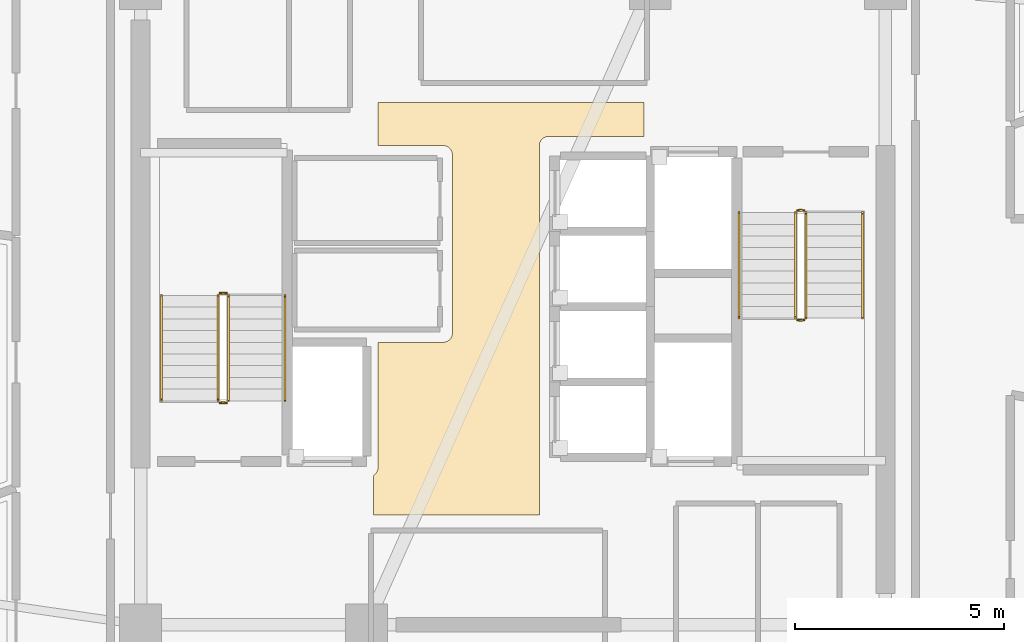
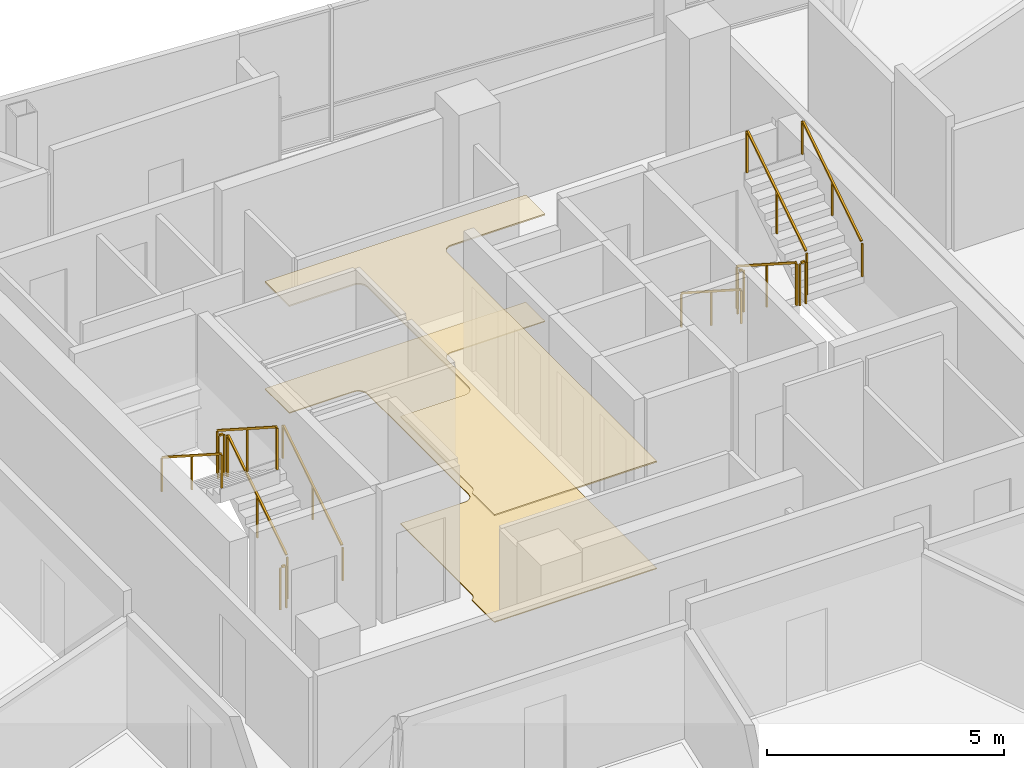
# One storey, part 13 of 14: 12 railings, 2 coverings.
"""IFC4 building model written with IfcOpenShell, lengths in metres."""

import ifcopenshell
import ifcopenshell.guid

model = None  # the IFC model being written
_history = None  # IfcOwnerHistory: only IFC2X3 demands one
_inside = {}  # id of a spatial element -> (the spatial element, [elements in it])
_under = {}  # id of a project, library or spatial element -> (it, [spatial elements below it])
_declared = {}  # id of a project -> (the project, [libraries it declares])
_typed = {}  # id of a type object -> (the type object, [elements of that type])
_made_of = {}  # id of a material, layer set ... -> (it, [elements and type objects made of it])


def new_model(schema):
    """Start an empty IFC model of exactly this schema.

    Asked for "IFC4X3", IfcOpenShell would pick the latest addendum, in which some entities
    have other attributes; the version numbers below select the first issue.
    IFC2X3 requires an IfcOwnerHistory on every rooted entity: one is made here for all.
    """
    global model, _history
    if schema == "IFC4X3":
        model = ifcopenshell.file(schema_version=(4, 3, 0, 0))
    else:
        model = ifcopenshell.file(schema=schema)
    _inside.clear()
    _under.clear()
    _declared.clear()
    _typed.clear()
    _made_of.clear()
    _history = None
    if model.schema == "IFC2X3":
        org = make("IfcOrganization", Name="unknown")
        user = make(
            "IfcPersonAndOrganization",
            ThePerson=make("IfcPerson", FamilyName="unknown"),
            TheOrganization=org,
        )
        app = make(
            "IfcApplication",
            ApplicationDeveloper=org,
            Version="unknown",
            ApplicationFullName="unknown",
            ApplicationIdentifier="unknown",
        )
        _history = make(
            "IfcOwnerHistory",
            OwningUser=user,
            OwningApplication=app,
            ChangeAction="ADDED",
            CreationDate=0,
        )
    return model


def make(cls, **values):
    """One entity of the class cls with the attributes given. An attribute that is None is left unset."""
    return model.create_entity(
        cls, **{name: value for name, value in values.items() if value is not None}
    )


def rooted(cls, **values):
    """An entity with a GlobalId (a new one), such as an element, a storey or a relation."""
    return make(cls, GlobalId=ifcopenshell.guid.new(), OwnerHistory=_history, **values)


def si_unit(unit_type, name, prefix=None):
    """IfcSIUnit, for example si_unit("LENGTHUNIT", "METRE", prefix="MILLI")."""
    return make("IfcSIUnit", UnitType=unit_type, Prefix=prefix, Name=name)


def assignment(units):
    """IfcUnitAssignment: the units of a project."""
    return None if units is None else make("IfcUnitAssignment", Units=units)


def point(xyz):
    """IfcCartesianPoint."""
    return None if xyz is None else make("IfcCartesianPoint", Coordinates=xyz)


def direction(xyz):
    """IfcDirection."""
    return None if xyz is None else make("IfcDirection", DirectionRatios=xyz)


def frame(location, z_axis=None, x_axis=None):
    """IfcAxis2Placement3D, a coordinate frame: its origin and axes. An axis left out is left unset."""
    return make(
        "IfcAxis2Placement3D",
        Location=point(location),
        Axis=direction(z_axis),
        RefDirection=direction(x_axis),
    )


def frame_2d(location, x_axis=None):
    """IfcAxis2Placement2D, a coordinate frame in the plane: its origin and x axis."""
    return make(
        "IfcAxis2Placement2D", Location=point(location), RefDirection=direction(x_axis)
    )


def origin():
    """The frame at (0, 0, 0) with its axes left unset."""
    return frame((0.0, 0.0, 0.0))


def origin_2d():
    """The frame at (0, 0) in the plane with its x axis left unset."""
    return frame_2d((0.0, 0.0))


def place(relative_to, where):
    """IfcLocalPlacement: puts the frame where relative to a parent placement (None: the world)."""
    return make(
        "IfcLocalPlacement", PlacementRelTo=relative_to, RelativePlacement=where
    )


def context(
    kind, dimensions, precision=None, world=None, true_north=None, identifier=None
):
    """IfcGeometricRepresentationContext, for example the 3D "Model" context."""
    return make(
        "IfcGeometricRepresentationContext",
        ContextIdentifier=identifier,
        ContextType=kind,
        CoordinateSpaceDimension=dimensions,
        Precision=precision,
        WorldCoordinateSystem=world,
        TrueNorth=true_north,
    )


def subcontext(parent, identifier, kind, view, scale=None):
    """IfcGeometricRepresentationSubContext, for example "Body" below "Model"."""
    return make(
        "IfcGeometricRepresentationSubContext",
        ContextIdentifier=identifier,
        ContextType=kind,
        ParentContext=parent,
        TargetScale=scale,
        TargetView=view,
    )


def project(units=None, contexts=None):
    """IfcProject with its units and contexts."""
    return rooted(
        "IfcProject",
        Name="project",
        RepresentationContexts=contexts,
        UnitsInContext=assignment(units),
    )


def spatial(cls, under=None, at=None, **own):
    """A site, building, storey or space (cls), placed at a placement, below another one or the project."""
    s = rooted(cls, ObjectPlacement=at, **own)
    if under is not None:
        _under.setdefault(under.id(), (under, []))[1].append(s)
    return s


def polyline(points):
    """IfcPolyline through the points."""
    return make("IfcPolyline", Points=[point(p) for p in points])


def profile(cls, at=None, kind="AREA", **sizes):
    """A parametric profile (cls). Its sizes go by their IFC names, for example OverallWidth=200.0."""
    return make(cls, ProfileType=kind, Position=at, **sizes)


def rectangle(**sizes):
    """IfcRectangleProfileDef."""
    return profile("IfcRectangleProfileDef", **sizes)


def outline(outer, holes=None, kind="AREA"):
    """IfcArbitraryClosedProfileDef: a profile drawn as a closed curve; with holes, ...WithVoids."""
    if holes is None:
        return make("IfcArbitraryClosedProfileDef", ProfileType=kind, OuterCurve=outer)
    return make(
        "IfcArbitraryProfileDefWithVoids",
        ProfileType=kind,
        OuterCurve=outer,
        InnerCurves=holes,
    )


def extrude(swept, where, along, depth):
    """IfcExtrudedAreaSolid: the profile swept, set in the frame where, extruded along a direction by depth."""
    return make(
        "IfcExtrudedAreaSolid",
        SweptArea=swept,
        Position=where,
        ExtrudedDirection=direction(along),
        Depth=depth,
    )


def shape(context_of_items, identifier, shape_type, items):
    """IfcShapeRepresentation: the items that make up one representation, for example the "Body"."""
    return make(
        "IfcShapeRepresentation",
        ContextOfItems=context_of_items,
        RepresentationIdentifier=identifier,
        RepresentationType=shape_type,
        Items=items,
    )


def material(Name=None, Category=None):
    """IfcMaterial."""
    return make("IfcMaterial", Name=Name, Category=Category)


def layer(
    of_material, thickness, ventilated=None, Name=None, Category=None, Priority=None
):
    """IfcMaterialLayer: one layer of a wall or slab, of a material (None: an air gap)."""
    return make(
        "IfcMaterialLayer",
        Material=of_material,
        LayerThickness=thickness,
        IsVentilated=ventilated,
        Name=Name,
        Category=Category,
        Priority=Priority,
    )


def layer_set(layers, Name=None):
    """IfcMaterialLayerSet."""
    return make("IfcMaterialLayerSet", MaterialLayers=layers, LayerSetName=Name)


def made_of(thing, what):
    """Note that an element or type object is made of a material, layer set ...; save() writes the relation."""
    if what is not None:
        _made_of.setdefault(what.id(), (what, []))[1].append(thing)
    return thing


def type_object(cls, material=None, **own):
    """A type object (cls), such as IfcWallType, which elements share."""
    return made_of(rooted(cls, **own), material)


def element(
    cls,
    number,
    at=None,
    inside=None,
    cuts=None,
    type_object=None,
    material=None,
    context=None,
    identifier="Body",
    shape_type=None,
    held_by="IfcProductDefinitionShape",
    body=None,
    shapes=None,
    **own,
):
    """One element of the class cls, such as IfcWall. Its Tag is "e" and its number.

    at: its placement. inside: the storey or other place that contains it. cuts: it is an
    opening in that element (IfcRelVoidsElement). A single representation is given by context,
    identifier, shape_type and body (its items); several are given by shapes. held_by: the class
    of the entity that holds the representations. save() writes the other relations.
    """
    e = rooted(cls, Tag="e%d" % number, ObjectPlacement=at, **own)
    if body is not None:
        shapes = [shape(context, identifier, shape_type, body)]
    if shapes is not None:
        e.Representation = make(held_by, Representations=shapes)
    if inside is not None:
        _inside.setdefault(inside.id(), (inside, []))[1].append(e)
    if cuts is not None:
        rooted(
            "IfcRelVoidsElement", RelatingBuildingElement=cuts, RelatedOpeningElement=e
        )
    if type_object is not None:
        _typed.setdefault(type_object.id(), (type_object, []))[1].append(e)
    return made_of(e, material)


def aggregate(whole, parts):
    """IfcRelAggregates: a whole, such as a stair, and the parts it consists of."""
    return rooted("IfcRelAggregates", RelatingObject=whole, RelatedObjects=parts)


def save(model, path):
    """Write the relations noted so far, then the file.

    IfcRelAggregates (storeys below a building ...), IfcRelContainedInSpatialStructure (elements
    in a storey), IfcRelDefinesByType, IfcRelAssociatesMaterial and IfcRelDeclares: one each for
    every whole, place, type object, material and project.
    """
    for whole, parts in _under.values():
        aggregate(whole, parts)
    for where, things in _inside.values():
        rooted(
            "IfcRelContainedInSpatialStructure",
            RelatedElements=things,
            RelatingStructure=where,
        )
    for kind, things in _typed.values():
        rooted("IfcRelDefinesByType", RelatedObjects=things, RelatingType=kind)
    for what, things in _made_of.values():
        rooted("IfcRelAssociatesMaterial", RelatedObjects=things, RelatingMaterial=what)
    for by, libraries in _declared.values():
        rooted("IfcRelDeclares", RelatingContext=by, RelatedDefinitions=libraries)
    model.write(path)


model = new_model("IFC4")

# Units and contexts
model_context = context("Model", 3, precision=1e-05, world=origin(), true_north=direction((0.0, 1.0)))
body_context = subcontext(model_context, "Body", "Model", "MODEL_VIEW")
ifc_project = project(units=[si_unit("LENGTHUNIT", "METRE"), si_unit("AREAUNIT", "SQUARE_METRE"), si_unit("VOLUMEUNIT", "CUBIC_METRE"), si_unit("PLANEANGLEUNIT", "RADIAN"), si_unit("MASSUNIT", "GRAM", prefix="KILO")], contexts=[model_context])

# Site, building, storey
site_placement = place(None, origin())
site = spatial("IfcSite", under=ifc_project, at=site_placement, CompositionType="ELEMENT")
building_placement = place(site_placement, origin())
building = spatial("IfcBuilding", under=site, at=building_placement, Name="Tharavind Bronze Gate", CompositionType="ELEMENT")
storey_placement = place(building_placement, frame((0.0, 0.0, 237.85009765625)))
storey = spatial("IfcBuildingStorey", under=building, at=storey_placement, Name="L61", CompositionType="ELEMENT", Elevation=237.85009765625)

# Coverings
ifc_material_1 = material(Name="Perforated Bronze Acoustic Panel", Category="bronze")
ifc_layer_1 = layer(ifc_material_1, 0.044921875)
ifc_layer_set_1 = layer_set([ifc_layer_1], Name="Perforated Bronze Acoustic Panel")
covering_type_1 = type_object("IfcCoveringType", Name="ACOUSTIC BRONZE BAFFLE CEILING", PredefinedType="CEILING", material=ifc_layer_set_1)
covering_1_placement = place(storey_placement, frame((0.0, 0.0, 2.75)))
element("IfcCovering", 1, at=covering_1_placement, inside=storey, type_object=covering_type_1, Name="L61-C-LL suspended ceiling", PredefinedType="CEILING", context=body_context, shape_type="SweptSolid", body=[
    extrude(outline(polyline([(-3.330078125, -4.97998046875), (0.6298828125, -4.97998046875), (0.6298828125, 3.85009765625), (0.631103515625, 3.87158203125), (0.63427734375, 3.892822265625), (0.639404296875, 3.913818359375), (0.646728515625, 3.93408203125), (0.656005859375, 3.95361328125), (0.6669921875, 3.97216796875), (0.679931640625, 3.989501953125), (0.6943359375, 4.005615234375), (0.71044921875, 4.02001953125), (0.727783203125, 4.032958984375), (0.746337890625, 4.0439453125), (0.765869140625, 4.05322265625), (0.7861328125, 4.060546875), (0.80712890625, 4.06591796875), (0.828369140625, 4.06884765625), (0.85009765625, 4.070068359375), (3.1298828125, 4.070068359375), (3.1298828125, 4.8798828125), (-3.22998046875, 4.8798828125), (-3.22998046875, 3.85009765625), (-1.669921875, 3.85009765625), (-1.6484375, 3.848876953125), (-1.627197265625, 3.845703125), (-1.606201171875, 3.840576171875), (-1.585693359375, 3.833251953125), (-1.56640625, 3.823974609375), (-1.5478515625, 3.81298828125), (-1.530517578125, 3.800048828125), (-1.514404296875, 3.78564453125), (-1.5, 3.76953125), (-1.487060546875, 3.752197265625), (-1.47607421875, 3.733642578125), (-1.466796875, 3.714111328125), (-1.45947265625, 3.69384765625), (-1.4541015625, 3.6728515625), (-1.451171875, 3.651611328125), (-1.449951171875, 3.6298828125), (-1.449951171875, 1.43994140625), (-1.450439453125, 1.429931640625), (-1.449951171875, 1.419921875), (-1.449951171875, -0.6298828125), (-1.451171875, -0.651611328125), (-1.4541015625, -0.6728515625), (-1.45947265625, -0.69384765625), (-1.466796875, -0.714111328125), (-1.47607421875, -0.733642578125), (-1.487060546875, -0.752197265625), (-1.5, -0.76953125), (-1.514404296875, -0.78564453125), (-1.530517578125, -0.800048828125), (-1.5478515625, -0.81298828125), (-1.56640625, -0.823974609375), (-1.585693359375, -0.833251953125), (-1.606201171875, -0.840576171875), (-1.627197265625, -0.845703125), (-1.6484375, -0.848876953125), (-1.669921875, -0.85009765625), (-3.22998046875, -0.85009765625), (-3.22998046875, -3.85009765625), (-3.231201171875, -3.87158203125), (-3.234130859375, -3.892822265625), (-3.239501953125, -3.913818359375), (-3.24658203125, -3.93408203125), (-3.256103515625, -3.95361328125), (-3.26708984375, -3.97216796875), (-3.27978515625, -3.989501953125), (-3.29443359375, -4.005615234375), (-3.310302734375, -4.02001953125), (-3.327880859375, -4.032958984375), (-3.330078125, -4.0341796875), (-3.330078125, -4.97998046875)])), origin(), (0.0, 0.0, 1.0), 0.034912109375),
])
ifc_material_2 = material(Name="Honed Travertine Limestone", Category="masonry")
ifc_layer_2 = layer(ifc_material_2, 0.030029296875)
ifc_layer_set_2 = layer_set([ifc_layer_2], Name="Honed Travertine Limestone")
covering_type_2 = type_object("IfcCoveringType", Name="HONED LIMESTONE FLOORING", PredefinedType="FLOORING", material=ifc_layer_set_2)
covering_2_placement = place(storey_placement, origin())
element("IfcCovering", 2, at=covering_2_placement, inside=storey, type_object=covering_type_2, Name="L61-C-LL floor finish", PredefinedType="FLOORING", context=body_context, shape_type="SweptSolid", body=[
    extrude(outline(polyline([(-3.330078125, -4.97998046875), (0.6298828125, -4.97998046875), (0.6298828125, 3.85009765625), (0.631103515625, 3.87158203125), (0.63427734375, 3.892822265625), (0.639404296875, 3.913818359375), (0.646728515625, 3.93408203125), (0.656005859375, 3.95361328125), (0.6669921875, 3.97216796875), (0.679931640625, 3.989501953125), (0.6943359375, 4.005615234375), (0.71044921875, 4.02001953125), (0.727783203125, 4.032958984375), (0.746337890625, 4.0439453125), (0.765869140625, 4.05322265625), (0.7861328125, 4.060546875), (0.80712890625, 4.06591796875), (0.828369140625, 4.06884765625), (0.85009765625, 4.070068359375), (3.1298828125, 4.070068359375), (3.1298828125, 4.8798828125), (-3.22998046875, 4.8798828125), (-3.22998046875, 3.85009765625), (-1.669921875, 3.85009765625), (-1.6484375, 3.848876953125), (-1.627197265625, 3.845703125), (-1.606201171875, 3.840576171875), (-1.585693359375, 3.833251953125), (-1.56640625, 3.823974609375), (-1.5478515625, 3.81298828125), (-1.530517578125, 3.800048828125), (-1.514404296875, 3.78564453125), (-1.5, 3.76953125), (-1.487060546875, 3.752197265625), (-1.47607421875, 3.733642578125), (-1.466796875, 3.714111328125), (-1.45947265625, 3.69384765625), (-1.4541015625, 3.6728515625), (-1.451171875, 3.651611328125), (-1.449951171875, 3.6298828125), (-1.449951171875, 1.43994140625), (-1.450439453125, 1.429931640625), (-1.449951171875, 1.419921875), (-1.449951171875, -0.6298828125), (-1.451171875, -0.651611328125), (-1.4541015625, -0.6728515625), (-1.45947265625, -0.69384765625), (-1.466796875, -0.714111328125), (-1.47607421875, -0.733642578125), (-1.487060546875, -0.752197265625), (-1.5, -0.76953125), (-1.514404296875, -0.78564453125), (-1.530517578125, -0.800048828125), (-1.5478515625, -0.81298828125), (-1.56640625, -0.823974609375), (-1.585693359375, -0.833251953125), (-1.606201171875, -0.840576171875), (-1.627197265625, -0.845703125), (-1.6484375, -0.848876953125), (-1.669921875, -0.85009765625), (-3.22998046875, -0.85009765625), (-3.22998046875, -3.85009765625), (-3.231201171875, -3.87158203125), (-3.234130859375, -3.892822265625), (-3.239501953125, -3.913818359375), (-3.24658203125, -3.93408203125), (-3.256103515625, -3.95361328125), (-3.26708984375, -3.97216796875), (-3.27978515625, -3.989501953125), (-3.29443359375, -4.005615234375), (-3.310302734375, -4.02001953125), (-3.327880859375, -4.032958984375), (-3.330078125, -4.0341796875), (-3.330078125, -4.97998046875)])), origin(), (0.0, 0.0, 1.0), 0.02490234375),
])

# Railings
ifc_material_3 = material(Name="Brushed Bronze Alloy", Category="metal")
railing_type_1 = type_object("IfcRailingType", Name="STAIR BRONZE HANDRAIL 900", PredefinedType="HANDRAIL", material=ifc_material_3)
railing_1_placement = place(storey_placement, frame((-5.449951171875, -2.25, 0.179931640625)))
element("IfcRailing", 3, at=railing_1_placement, inside=storey, type_object=railing_type_1, Name="L61 ST1 stair handrail 1", PredefinedType="HANDRAIL", context=body_context, shape_type="SweptSolid", body=[
    extrude(rectangle(XDim=0.048095703125, YDim=0.048095703125, at=origin_2d()), frame((0.0, 0.02685546875, 0.89306640625), z_axis=(0.0, 0.841199657755, 0.540724639528), x_axis=(-1.0, 0.0, 0.0)), (0.0, 0.0, 1.0), 2.931640625),
    extrude(rectangle(XDim=0.0400390625, YDim=0.0400390625, at=origin_2d()), origin(), (0.0, 0.0, 1.0), 0.847900390625),
    extrude(rectangle(XDim=0.0400390625, YDim=0.0400390625, at=origin_2d()), frame((0.0, 1.260009765625, 0.81005859375)), (0.0, 0.0, 1.0), 0.847900390625),
    extrude(rectangle(XDim=0.0400390625, YDim=0.0400390625, at=origin_2d()), frame((0.0, 2.52001953125, 1.619873046875)), (0.0, 0.0, 1.0), 0.847900390625),
])
for number, where, name in (
    (4, (-8.39990234375, 0.27001953125, 1.97998046875), "L61 ST1 stair handrail 2"),
    (5, (5.39990234375, 2.25, 0.179931640625), "L61 ST2 stair handrail 1"),
):
    element("IfcRailing", number, at=place(storey_placement, frame(where)), inside=storey, type_object=railing_type_1, Name=name, PredefinedType="HANDRAIL", context=body_context, shape_type="SweptSolid", body=[
        extrude(rectangle(XDim=0.048095703125, YDim=0.048095703125, at=origin_2d()), frame((0.0, -0.02685546875, 0.89306640625), z_axis=(0.0, -0.841199657755, 0.540724639528), x_axis=(1.0, 0.0, 0.0)), (0.0, 0.0, 1.0), 2.931640625),
        extrude(rectangle(XDim=0.0400390625, YDim=0.0400390625, at=origin_2d()), origin(), (0.0, 0.0, 1.0), 0.847900390625),
        extrude(rectangle(XDim=0.0400390625, YDim=0.0400390625, at=origin_2d()), frame((0.0, -1.260009765625, 0.81005859375)), (0.0, 0.0, 1.0), 0.847900390625),
        extrude(rectangle(XDim=0.0400390625, YDim=0.0400390625, at=origin_2d()), frame((0.0, -2.52001953125, 1.619873046875)), (0.0, 0.0, 1.0), 0.847900390625),
    ])
railing_2_placement = place(storey_placement, frame((8.35009765625, -0.27001953125, 1.97998046875)))
element("IfcRailing", 6, at=railing_2_placement, inside=storey, type_object=railing_type_1, Name="L61 ST2 stair handrail 2", PredefinedType="HANDRAIL", context=body_context, shape_type="SweptSolid", body=[
    extrude(rectangle(XDim=0.048095703125, YDim=0.048095703125, at=origin_2d()), frame((0.0, 0.02685546875, 0.89306640625), z_axis=(0.0, 0.841199657755, 0.540724639528), x_axis=(-1.0, 0.0, 0.0)), (0.0, 0.0, 1.0), 2.931640625),
    extrude(rectangle(XDim=0.0400390625, YDim=0.0400390625, at=origin_2d()), origin(), (0.0, 0.0, 1.0), 0.847900390625),
    extrude(rectangle(XDim=0.0400390625, YDim=0.0400390625, at=origin_2d()), frame((0.0, 1.260009765625, 0.81005859375)), (0.0, 0.0, 1.0), 0.847900390625),
    extrude(rectangle(XDim=0.0400390625, YDim=0.0400390625, at=origin_2d()), frame((0.0, 2.52001953125, 1.619873046875)), (0.0, 0.0, 1.0), 0.847900390625),
])
railing_type_2 = type_object("IfcRailingType", Name="STAIR WELL GUARD RAILING 1120", PredefinedType="GUARDRAIL", material=ifc_material_3)
railing_3_placement = place(storey_placement, frame((-6.800048828125, -2.25, 0.179931640625)))
element("IfcRailing", 7, at=railing_3_placement, inside=storey, type_object=railing_type_2, Name="L61 ST1 stair guard 1", PredefinedType="GUARDRAIL", context=body_context, shape_type="SweptSolid", body=[
    extrude(rectangle(XDim=0.048095703125, YDim=0.048095703125, at=origin_2d()), frame((0.0, 0.02685546875, 1.11328125), z_axis=(0.0, 0.841199657755, 0.540724639528), x_axis=(-1.0, 0.0, 0.0)), (0.0, 0.0, 1.0), 2.931640625),
    extrude(rectangle(XDim=0.0400390625, YDim=0.0400390625, at=origin_2d()), origin(), (0.0, 0.0, 1.0), 1.068115234375),
    extrude(rectangle(XDim=0.0400390625, YDim=0.0400390625, at=origin_2d()), frame((0.0, 1.260009765625, 0.81005859375)), (0.0, 0.0, 1.0), 1.068115234375),
    extrude(rectangle(XDim=0.0400390625, YDim=0.0400390625, at=origin_2d()), frame((0.0, 2.52001953125, 1.619873046875)), (0.0, 0.0, 1.0), 1.068115234375),
])
railing_4_placement = place(storey_placement, frame((-6.85009765625, 0.320068359375, 1.7998046875)))
element("IfcRailing", 8, at=railing_4_placement, inside=storey, type_object=railing_type_2, Name="L61 ST1 stair guard 2", PredefinedType="GUARDRAIL", context=body_context, shape_type="SweptSolid", body=[
    extrude(rectangle(XDim=0.048095703125, YDim=0.048095703125, at=origin_2d()), frame((-0.031982421875, 0.0, 1.09619140625), z_axis=(-1.0, 0.0, 0.0), x_axis=(0.0, -1.0, 0.0)), (0.0, 0.0, 1.0), 0.0859375),
    extrude(rectangle(XDim=0.0400390625, YDim=0.0400390625, at=origin_2d()), origin(), (0.0, 0.0, 1.0), 1.068115234375),
    extrude(rectangle(XDim=0.0400390625, YDim=0.0400390625, at=origin_2d()), frame((-0.14990234375, 0.0, 0.0)), (0.0, 0.0, 1.0), 1.068115234375),
])
railing_5_placement = place(storey_placement, frame((-7.050048828125, 0.27001953125, 1.97998046875)))
element("IfcRailing", 9, at=railing_5_placement, inside=storey, type_object=railing_type_2, Name="L61 ST1 stair guard 3", PredefinedType="GUARDRAIL", context=body_context, shape_type="SweptSolid", body=[
    extrude(rectangle(XDim=0.048095703125, YDim=0.048095703125, at=origin_2d()), frame((0.0, -0.02685546875, 1.11328125), z_axis=(0.0, -0.841199657755, 0.540724639528), x_axis=(1.0, 0.0, 0.0)), (0.0, 0.0, 1.0), 2.931640625),
    extrude(rectangle(XDim=0.0400390625, YDim=0.0400390625, at=origin_2d()), origin(), (0.0, 0.0, 1.0), 1.068115234375),
    extrude(rectangle(XDim=0.0400390625, YDim=0.0400390625, at=origin_2d()), frame((0.0, -1.260009765625, 0.81005859375)), (0.0, 0.0, 1.0), 1.068115234375),
    extrude(rectangle(XDim=0.0400390625, YDim=0.0400390625, at=origin_2d()), frame((0.0, -2.52001953125, 1.619873046875)), (0.0, 0.0, 1.0), 1.068115234375),
])
railing_6_placement = place(storey_placement, frame((-6.85009765625, -2.300048828125, 0.0)))
element("IfcRailing", 10, at=railing_6_placement, inside=storey, type_object=railing_type_2, Name="L61 ST1 stair guard 4", PredefinedType="GUARDRAIL", context=body_context, shape_type="SweptSolid", body=[
    extrude(rectangle(XDim=0.048095703125, YDim=0.048095703125, at=origin_2d()), frame((-0.031982421875, 0.0, 1.09619140625), z_axis=(-1.0, 0.0, 0.0), x_axis=(0.0, -1.0, 0.0)), (0.0, 0.0, 1.0), 0.0859375),
    extrude(rectangle(XDim=0.0400390625, YDim=0.0400390625, at=origin_2d()), origin(), (0.0, 0.0, 1.0), 1.068115234375),
    extrude(rectangle(XDim=0.0400390625, YDim=0.0400390625, at=origin_2d()), frame((-0.14990234375, 0.0, 0.0)), (0.0, 0.0, 1.0), 1.068115234375),
])
railing_7_placement = place(storey_placement, frame((6.75, 2.25, 0.179931640625)))
element("IfcRailing", 11, at=railing_7_placement, inside=storey, type_object=railing_type_2, Name="L61 ST2 stair guard 1", PredefinedType="GUARDRAIL", context=body_context, shape_type="SweptSolid", body=[
    extrude(rectangle(XDim=0.048095703125, YDim=0.048095703125, at=origin_2d()), frame((0.0, -0.02685546875, 1.11328125), z_axis=(0.0, -0.841199657755, 0.540724639528), x_axis=(1.0, 0.0, 0.0)), (0.0, 0.0, 1.0), 2.931640625),
    extrude(rectangle(XDim=0.0400390625, YDim=0.0400390625, at=origin_2d()), origin(), (0.0, 0.0, 1.0), 1.068115234375),
    extrude(rectangle(XDim=0.0400390625, YDim=0.0400390625, at=origin_2d()), frame((0.0, -1.260009765625, 0.81005859375)), (0.0, 0.0, 1.0), 1.068115234375),
    extrude(rectangle(XDim=0.0400390625, YDim=0.0400390625, at=origin_2d()), frame((0.0, -2.52001953125, 1.619873046875)), (0.0, 0.0, 1.0), 1.068115234375),
])
railing_8_placement = place(storey_placement, frame((6.800048828125, -0.320068359375, 1.7998046875)))
element("IfcRailing", 12, at=railing_8_placement, inside=storey, type_object=railing_type_2, Name="L61 ST2 stair guard 2", PredefinedType="GUARDRAIL", context=body_context, shape_type="SweptSolid", body=[
    extrude(rectangle(XDim=0.048095703125, YDim=0.048095703125, at=origin_2d()), frame((0.031982421875, 0.0, 1.09619140625), z_axis=(1.0, 0.0, 0.0), x_axis=(0.0, 1.0, 0.0)), (0.0, 0.0, 1.0), 0.0859375),
    extrude(rectangle(XDim=0.0400390625, YDim=0.0400390625, at=origin_2d()), origin(), (0.0, 0.0, 1.0), 1.068115234375),
    extrude(rectangle(XDim=0.0400390625, YDim=0.0400390625, at=origin_2d()), frame((0.14990234375, 0.0, 0.0)), (0.0, 0.0, 1.0), 1.068115234375),
])
railing_9_placement = place(storey_placement, frame((7.0, -0.27001953125, 1.97998046875)))
element("IfcRailing", 13, at=railing_9_placement, inside=storey, type_object=railing_type_2, Name="L61 ST2 stair guard 3", PredefinedType="GUARDRAIL", context=body_context, shape_type="SweptSolid", body=[
    extrude(rectangle(XDim=0.048095703125, YDim=0.048095703125, at=origin_2d()), frame((0.0, 0.02685546875, 1.11328125), z_axis=(0.0, 0.841199657755, 0.540724639528), x_axis=(-1.0, 0.0, 0.0)), (0.0, 0.0, 1.0), 2.931640625),
    extrude(rectangle(XDim=0.0400390625, YDim=0.0400390625, at=origin_2d()), origin(), (0.0, 0.0, 1.0), 1.068115234375),
    extrude(rectangle(XDim=0.0400390625, YDim=0.0400390625, at=origin_2d()), frame((0.0, 1.260009765625, 0.81005859375)), (0.0, 0.0, 1.0), 1.068115234375),
    extrude(rectangle(XDim=0.0400390625, YDim=0.0400390625, at=origin_2d()), frame((0.0, 2.52001953125, 1.619873046875)), (0.0, 0.0, 1.0), 1.068115234375),
])
railing_10_placement = place(storey_placement, frame((6.800048828125, 2.300048828125, 0.0)))
element("IfcRailing", 14, at=railing_10_placement, inside=storey, type_object=railing_type_2, Name="L61 ST2 stair guard 4", PredefinedType="GUARDRAIL", context=body_context, shape_type="SweptSolid", body=[
    extrude(rectangle(XDim=0.048095703125, YDim=0.048095703125, at=origin_2d()), frame((0.031982421875, 0.0, 1.09619140625), z_axis=(1.0, 0.0, 0.0), x_axis=(0.0, 1.0, 0.0)), (0.0, 0.0, 1.0), 0.0859375),
    extrude(rectangle(XDim=0.0400390625, YDim=0.0400390625, at=origin_2d()), origin(), (0.0, 0.0, 1.0), 1.068115234375),
    extrude(rectangle(XDim=0.0400390625, YDim=0.0400390625, at=origin_2d()), frame((0.14990234375, 0.0, 0.0)), (0.0, 0.0, 1.0), 1.068115234375),
])

save(model, "model.ifc")
